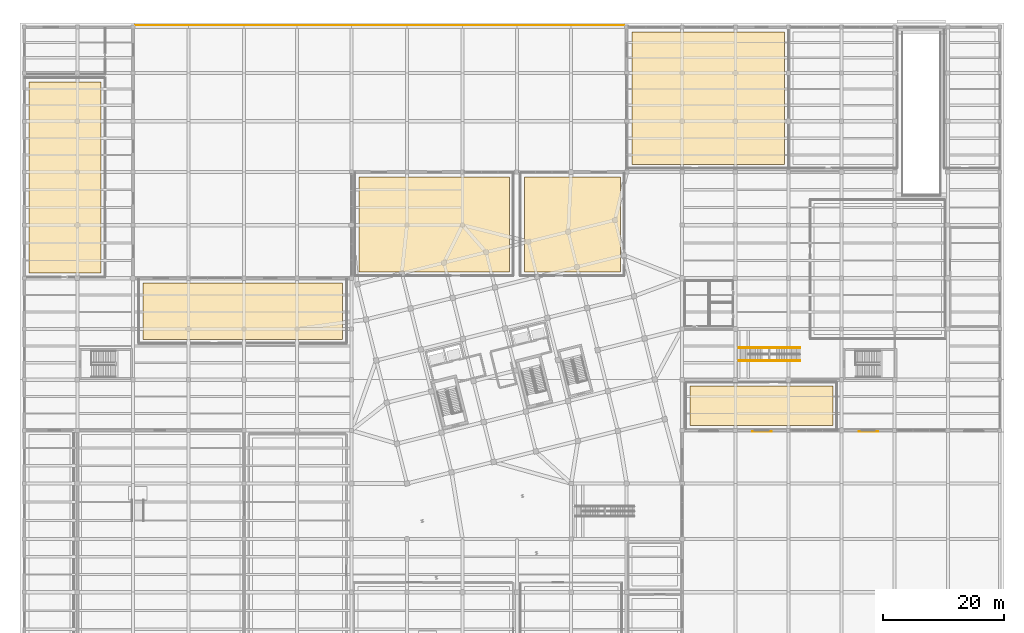
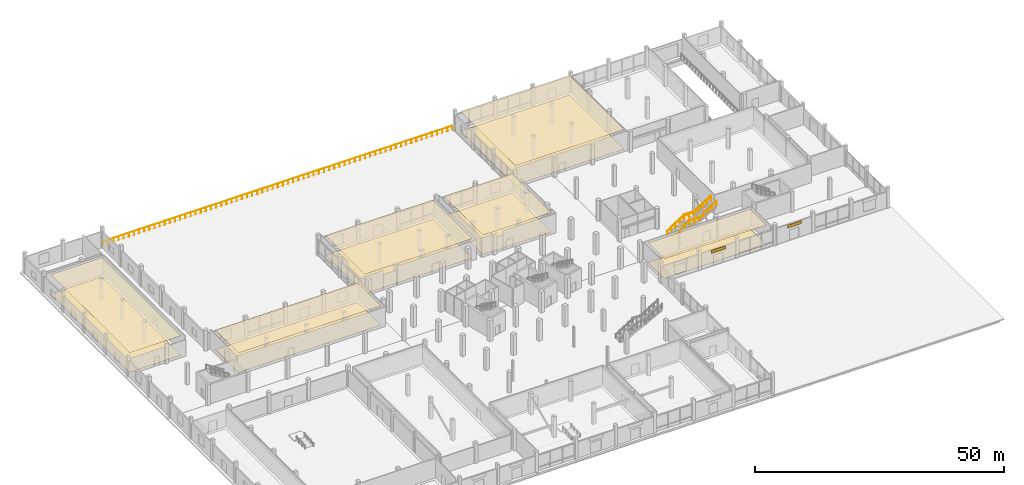
# One storey, part 70 of 73: 14 coverings, 13 railings.
"""IFC4 building model written with IfcOpenShell, lengths in metres."""

from ifc_helpers import new_model, si_unit, direction, frame, origin, origin_2d, place, context, subcontext, project, spatial, polyline, rectangle, circle, outline, extrude, material, layer, layer_set, type_object, element, save


model = new_model("IFC4")

# Units and contexts
model_context = context("Model", 3, precision=1e-05, world=origin(), true_north=direction((0.0, 1.0)))
body_context = subcontext(model_context, "Body", "Model", "MODEL_VIEW")
ifc_project = project(units=[si_unit("LENGTHUNIT", "METRE"), si_unit("AREAUNIT", "SQUARE_METRE"), si_unit("VOLUMEUNIT", "CUBIC_METRE"), si_unit("PLANEANGLEUNIT", "RADIAN"), si_unit("MASSUNIT", "GRAM", prefix="KILO")], contexts=[model_context])

# Site, building, storey
site_placement = place(None, origin())
site = spatial("IfcSite", under=ifc_project, at=site_placement, CompositionType="ELEMENT")
building_placement = place(site_placement, origin())
building = spatial("IfcBuilding", under=site, at=building_placement, Name="Meriwether Solvik Hall", CompositionType="ELEMENT")
storey_placement = place(building_placement, origin())
storey = spatial("IfcBuildingStorey", under=building, at=storey_placement, Name="L00", CompositionType="ELEMENT", Elevation=0.0)

# Coverings
ifc_material_1 = material(Name="Micro-Perforated Rift White Oak Timber", Category="wood")
ifc_layer_1 = layer(ifc_material_1, 0.02490234375)
ifc_layer_set_1 = layer_set([ifc_layer_1], Name="Micro-Perforated Rift White Oak Timber")
covering_type_1 = type_object("IfcCoveringType", Name="COV-CEIL-AC", PredefinedType="CEILING", material=ifc_layer_set_1)
covering_1_placement = place(storey_placement, frame((0.0, 0.0, 4.77490234375)))
element("IfcCovering", 1, at=covering_1_placement, inside=storey, type_object=covering_type_1, Name="Community Counseling and Outreach Office Acoustic Soffit Ceiling", PredefinedType="CEILING", context=body_context, shape_type="SweptSolid", body=[
    extrude(outline(polyline([(24.85009765625, 65.050048828125), (24.85009765625, 74.39990234375), (57.949951171875, 74.39990234375), (57.949951171875, 65.050048828125), (24.85009765625, 65.050048828125)])), origin(), (0.0, 0.0, 1.0), 0.025146484375),
])
covering_2_placement = place(storey_placement, frame((0.0, 0.0, 4.77490234375)))
element("IfcCovering", 2, at=covering_2_placement, inside=storey, type_object=covering_type_1, Name="Civic Reception Gallery Acoustic Soffit Ceiling", PredefinedType="CEILING", context=body_context, shape_type="SweptSolid", body=[
    extrude(outline(polyline([(60.64990234375, 76.25), (60.64990234375, 92.0), (85.550048828125, 92.0), (85.550048828125, 76.25), (60.64990234375, 76.25)])), origin(), (0.0, 0.0, 1.0), 0.025146484375),
])
covering_3_placement = place(storey_placement, frame((0.0, 0.0, 4.77490234375)))
element("IfcCovering", 3, at=covering_3_placement, inside=storey, type_object=covering_type_1, Name="Book Circulation Commons Acoustic Soffit Ceiling", PredefinedType="CEILING", context=body_context, shape_type="SweptSolid", body=[
    extrude(outline(polyline([(115.449951171875, 57.35009765625), (139.14990234375, 57.35009765625), (139.14990234375, 50.800048828125), (115.449951171875, 50.800048828125), (115.449951171875, 57.35009765625)])), origin(), (0.0, 0.0, 1.0), 0.025146484375),
])
covering_4_placement = place(storey_placement, frame((0.0, 0.0, 4.77490234375)))
element("IfcCovering", 4, at=covering_4_placement, inside=storey, type_object=covering_type_1, Name="Youth Welcome Studio Acoustic Soffit Ceiling", PredefinedType="CEILING", context=body_context, shape_type="SweptSolid", body=[
    extrude(outline(polyline([(105.85009765625, 94.050048828125), (105.85009765625, 116.0), (131.14990234375, 116.0), (131.14990234375, 94.050048828125), (105.85009765625, 94.050048828125)])), origin(), (0.0, 0.0, 1.0), 0.025146484375),
])
ifc_material_2 = material(Name="Moisture-Resistant Gypsum Board", Category="gypsum")
ifc_layer_2 = layer(ifc_material_2, 0.01806640625)
ifc_layer_set_2 = layer_set([ifc_layer_2], Name="Moisture-Resistant Gypsum Board")
covering_type_2 = type_object("IfcCoveringType", Name="COV-CEIL-GYP", PredefinedType="CEILING", material=ifc_layer_set_2)
covering_5_placement = place(storey_placement, frame((0.0, 0.0, 4.781982421875)))
element("IfcCovering", 5, at=covering_5_placement, inside=storey, type_object=covering_type_2, Name="Nursery Acoustic Soffit Ceiling", PredefinedType="CEILING", context=body_context, shape_type="SweptSolid", body=[
    extrude(outline(polyline([(17.949951171875, 76.050048828125), (6.0, 76.050048828125), (6.0, 107.75), (17.949951171875, 107.75), (17.949951171875, 76.050048828125)])), origin(), (0.0, 0.0, 1.0), 0.01806640625),
])
covering_6_placement = place(storey_placement, frame((0.0, 0.0, 4.781982421875)))
element("IfcCovering", 6, at=covering_6_placement, inside=storey, type_object=covering_type_2, Name="Civic Volunteer and Food Pantry Hub Acoustic Soffit Ceiling", PredefinedType="CEILING", context=body_context, shape_type="SweptSolid", body=[
    extrude(outline(polyline([(88.050048828125, 76.25), (88.050048828125, 92.0), (103.949951171875, 92.0), (103.949951171875, 76.25), (88.050048828125, 76.25)])), origin(), (0.0, 0.0, 1.0), 0.01806640625),
])
ifc_material_3 = material(Name="Glazed Extruded Terracotta Ceramic", Category="masonry")
ifc_layer_3 = layer(ifc_material_3, 0.044921875)
ifc_layer_set_3 = layer_set([ifc_layer_3], Name="Glazed Extruded Terracotta Ceramic")
covering_type_3 = type_object("IfcCoveringType", Name="COV-CLAD-TERRA", PredefinedType="CLADDING", material=ifc_layer_set_3)
for number, where, z_axis, x_axis, name in (
    (7, (127.39990234375, 49.824951171875, 3.139892578125), (0.0, 0.0, 1.0), (-1.0, 0.0, 0.0), "L00 Facade Cladding XF_14_13"),
    (8, (145.050048828125, 49.824951171875, 3.139892578125), (0.0, 0.0, 1.0), (-1.0, 0.0, 0.0), "L00 Facade Cladding XF_16_15"),
):
    element("IfcCovering", number, at=place(storey_placement, frame(where, z_axis=z_axis, x_axis=x_axis)), inside=storey, type_object=covering_type_3, Name=name, PredefinedType="CLADDING", context=body_context, shape_type="SweptSolid", body=[
        extrude(rectangle(XDim=3.199951171875, YDim=0.044921875, at=origin_2d()), origin(), (0.0, 0.0, 1.0), 0.75),
    ])
ifc_material_4 = material(Name="Solid White Oak Strip Timber", Category="wood")
ifc_layer_4 = layer(ifc_material_4, 0.028076171875)
ifc_layer_set_4 = layer_set([ifc_layer_4], Name="Solid White Oak Strip Timber")
covering_type_4 = type_object("IfcCoveringType", Name="COV-FLR-OAK", PredefinedType="FLOORING", material=ifc_layer_set_4)
covering_7_placement = place(storey_placement, origin())
element("IfcCovering", 9, at=covering_7_placement, inside=storey, type_object=covering_type_4, Name="Youth Welcome Studio Finish Flooring", PredefinedType="FLOORING", context=body_context, shape_type="SweptSolid", body=[
    extrude(outline(polyline([(105.85009765625, 94.050048828125), (105.85009765625, 116.0), (131.14990234375, 116.0), (131.14990234375, 94.050048828125), (105.85009765625, 94.050048828125)])), origin(), (0.0, 0.0, 1.0), 0.028076171875),
])
ifc_material_5 = material(Name="Polished Recycled-Aggregate Terrazzo", Category="stone")
ifc_layer_5 = layer(ifc_material_5, 0.02001953125)
ifc_layer_set_5 = layer_set([ifc_layer_5], Name="Polished Recycled-Aggregate Terrazzo")
covering_type_5 = type_object("IfcCoveringType", Name="COV-FLR-TERR", PredefinedType="FLOORING", material=ifc_layer_set_5)
covering_8_placement = place(storey_placement, origin())
element("IfcCovering", 10, at=covering_8_placement, inside=storey, type_object=covering_type_5, Name="Community Counseling and Outreach Office Finish Flooring", PredefinedType="FLOORING", context=body_context, shape_type="SweptSolid", body=[
    extrude(outline(polyline([(24.85009765625, 65.050048828125), (24.85009765625, 74.39990234375), (57.949951171875, 74.39990234375), (57.949951171875, 65.050048828125), (24.85009765625, 65.050048828125)])), origin(), (0.0, 0.0, 1.0), 0.02001953125),
])
covering_9_placement = place(storey_placement, origin())
element("IfcCovering", 11, at=covering_9_placement, inside=storey, type_object=covering_type_5, Name="Nursery Finish Flooring", PredefinedType="FLOORING", context=body_context, shape_type="SweptSolid", body=[
    extrude(outline(polyline([(17.949951171875, 76.050048828125), (6.0, 76.050048828125), (6.0, 107.75), (17.949951171875, 107.75), (17.949951171875, 76.050048828125)])), origin(), (0.0, 0.0, 1.0), 0.02001953125),
])
covering_10_placement = place(storey_placement, origin())
element("IfcCovering", 12, at=covering_10_placement, inside=storey, type_object=covering_type_5, Name="Civic Reception Gallery Finish Flooring", PredefinedType="FLOORING", context=body_context, shape_type="SweptSolid", body=[
    extrude(outline(polyline([(60.64990234375, 76.25), (60.64990234375, 92.0), (85.550048828125, 92.0), (85.550048828125, 76.25), (60.64990234375, 76.25)])), origin(), (0.0, 0.0, 1.0), 0.02001953125),
])
covering_11_placement = place(storey_placement, origin())
element("IfcCovering", 13, at=covering_11_placement, inside=storey, type_object=covering_type_5, Name="Civic Volunteer and Food Pantry Hub Finish Flooring", PredefinedType="FLOORING", context=body_context, shape_type="SweptSolid", body=[
    extrude(outline(polyline([(88.050048828125, 76.25), (88.050048828125, 92.0), (103.949951171875, 92.0), (103.949951171875, 76.25), (88.050048828125, 76.25)])), origin(), (0.0, 0.0, 1.0), 0.02001953125),
])
covering_12_placement = place(storey_placement, origin())
element("IfcCovering", 14, at=covering_12_placement, inside=storey, type_object=covering_type_5, Name="Book Circulation Commons Finish Flooring", PredefinedType="FLOORING", context=body_context, shape_type="SweptSolid", body=[
    extrude(outline(polyline([(115.449951171875, 57.35009765625), (139.14990234375, 57.35009765625), (139.14990234375, 50.800048828125), (115.449951171875, 50.800048828125), (115.449951171875, 57.35009765625)])), origin(), (0.0, 0.0, 1.0), 0.02001953125),
])

# Railings
ifc_material_6 = material(Name="Steel A36 Galvanised", Category="steel")
ifc_layer_6 = layer(ifc_material_6, 0.070068359375)
ifc_layer_set_6 = layer_set([ifc_layer_6], Name="Steel A36 Galvanised")
railing_type_1 = type_object("IfcRailingType", Name="RAIL-BAL-1120", PredefinedType="BALUSTRADE", material=ifc_layer_set_6)
railing_1_placement = place(storey_placement, frame((23.60009765625, 117.10009765625, 0.0)))
element("IfcRailing", 15, at=railing_1_placement, inside=storey, type_object=railing_type_1, Name="North Community Garden & Play Court Balustrade 1", PredefinedType="BALUSTRADE", context=body_context, shape_type="SweptSolid", body=[
    extrude(circle(Radius=0.02392578125, at=origin_2d()), frame((0.0, 0.0, 1.09619140625), z_axis=(1.0, 0.0, 0.0), x_axis=(0.0, 1.0, 0.0)), (0.0, 0.0, 1.0), 81.0),
    extrude(circle(Radius=0.02099609375, at=origin_2d()), origin(), (0.0, 0.0, 1.0), 1.072021484375),
    extrude(circle(Radius=0.02099609375, at=origin_2d()), frame((1.191162109375, 0.0, 0.0)), (0.0, 0.0, 1.0), 1.072021484375),
    extrude(circle(Radius=0.02099609375, at=origin_2d()), frame((2.38232421875, 0.0, 0.0)), (0.0, 0.0, 1.0), 1.072021484375),
    extrude(circle(Radius=0.02099609375, at=origin_2d()), frame((3.573486328125, 0.0, 0.0)), (0.0, 0.0, 1.0), 1.072021484375),
    extrude(circle(Radius=0.02099609375, at=origin_2d()), frame((4.7646484375, 0.0, 0.0)), (0.0, 0.0, 1.0), 1.072021484375),
    extrude(circle(Radius=0.02099609375, at=origin_2d()), frame((5.955810546875, 0.0, 0.0)), (0.0, 0.0, 1.0), 1.072021484375),
    extrude(circle(Radius=0.02099609375, at=origin_2d()), frame((7.14697265625, 0.0, 0.0)), (0.0, 0.0, 1.0), 1.072021484375),
    extrude(circle(Radius=0.02099609375, at=origin_2d()), frame((8.338134765625, 0.0, 0.0)), (0.0, 0.0, 1.0), 1.072021484375),
    extrude(circle(Radius=0.02099609375, at=origin_2d()), frame((9.529296875, 0.0, 0.0)), (0.0, 0.0, 1.0), 1.072021484375),
    extrude(circle(Radius=0.02099609375, at=origin_2d()), frame((10.720703125, 0.0, 0.0)), (0.0, 0.0, 1.0), 1.072021484375),
    extrude(circle(Radius=0.02099609375, at=origin_2d()), frame((11.911865234375, 0.0, 0.0)), (0.0, 0.0, 1.0), 1.072021484375),
    extrude(circle(Radius=0.02099609375, at=origin_2d()), frame((13.10302734375, 0.0, 0.0)), (0.0, 0.0, 1.0), 1.072021484375),
    extrude(circle(Radius=0.02099609375, at=origin_2d()), frame((14.294189453125, 0.0, 0.0)), (0.0, 0.0, 1.0), 1.072021484375),
    extrude(circle(Radius=0.02099609375, at=origin_2d()), frame((15.4853515625, 0.0, 0.0)), (0.0, 0.0, 1.0), 1.072021484375),
    extrude(circle(Radius=0.02099609375, at=origin_2d()), frame((16.676513671875, 0.0, 0.0)), (0.0, 0.0, 1.0), 1.072021484375),
    extrude(circle(Radius=0.02099609375, at=origin_2d()), frame((17.86767578125, 0.0, 0.0)), (0.0, 0.0, 1.0), 1.072021484375),
    extrude(circle(Radius=0.02099609375, at=origin_2d()), frame((19.058837890625, 0.0, 0.0)), (0.0, 0.0, 1.0), 1.072021484375),
    extrude(circle(Radius=0.02099609375, at=origin_2d()), frame((20.25, 0.0, 0.0)), (0.0, 0.0, 1.0), 1.072021484375),
    extrude(circle(Radius=0.02099609375, at=origin_2d()), frame((21.441162109375, 0.0, 0.0)), (0.0, 0.0, 1.0), 1.072021484375),
    extrude(circle(Radius=0.02099609375, at=origin_2d()), frame((22.63232421875, 0.0, 0.0)), (0.0, 0.0, 1.0), 1.072021484375),
    extrude(circle(Radius=0.02099609375, at=origin_2d()), frame((23.823486328125, 0.0, 0.0)), (0.0, 0.0, 1.0), 1.072021484375),
    extrude(circle(Radius=0.02099609375, at=origin_2d()), frame((25.0146484375, 0.0, 0.0)), (0.0, 0.0, 1.0), 1.072021484375),
    extrude(circle(Radius=0.02099609375, at=origin_2d()), frame((26.205810546875, 0.0, 0.0)), (0.0, 0.0, 1.0), 1.072021484375),
    extrude(circle(Radius=0.02099609375, at=origin_2d()), frame((27.39697265625, 0.0, 0.0)), (0.0, 0.0, 1.0), 1.072021484375),
    extrude(circle(Radius=0.02099609375, at=origin_2d()), frame((28.588134765625, 0.0, 0.0)), (0.0, 0.0, 1.0), 1.072021484375),
    extrude(circle(Radius=0.02099609375, at=origin_2d()), frame((29.779296875, 0.0, 0.0)), (0.0, 0.0, 1.0), 1.072021484375),
    extrude(circle(Radius=0.02099609375, at=origin_2d()), frame((30.970703125, 0.0, 0.0)), (0.0, 0.0, 1.0), 1.072021484375),
    extrude(circle(Radius=0.02099609375, at=origin_2d()), frame((32.161865234375, 0.0, 0.0)), (0.0, 0.0, 1.0), 1.072021484375),
    extrude(circle(Radius=0.02099609375, at=origin_2d()), frame((33.35302734375, 0.0, 0.0)), (0.0, 0.0, 1.0), 1.072021484375),
    extrude(circle(Radius=0.02099609375, at=origin_2d()), frame((34.544189453125, 0.0, 0.0)), (0.0, 0.0, 1.0), 1.072021484375),
    extrude(circle(Radius=0.02099609375, at=origin_2d()), frame((35.7353515625, 0.0, 0.0)), (0.0, 0.0, 1.0), 1.072021484375),
    extrude(circle(Radius=0.02099609375, at=origin_2d()), frame((36.926513671875, 0.0, 0.0)), (0.0, 0.0, 1.0), 1.072021484375),
    extrude(circle(Radius=0.02099609375, at=origin_2d()), frame((38.11767578125, 0.0, 0.0)), (0.0, 0.0, 1.0), 1.072021484375),
    extrude(circle(Radius=0.02099609375, at=origin_2d()), frame((39.308837890625, 0.0, 0.0)), (0.0, 0.0, 1.0), 1.072021484375),
    extrude(circle(Radius=0.02099609375, at=origin_2d()), frame((40.5, 0.0, 0.0)), (0.0, 0.0, 1.0), 1.072021484375),
    extrude(circle(Radius=0.02099609375, at=origin_2d()), frame((41.691162109375, 0.0, 0.0)), (0.0, 0.0, 1.0), 1.072021484375),
    extrude(circle(Radius=0.02099609375, at=origin_2d()), frame((42.88232421875, 0.0, 0.0)), (0.0, 0.0, 1.0), 1.072021484375),
    extrude(circle(Radius=0.02099609375, at=origin_2d()), frame((44.073486328125, 0.0, 0.0)), (0.0, 0.0, 1.0), 1.072021484375),
    extrude(circle(Radius=0.02099609375, at=origin_2d()), frame((45.2646484375, 0.0, 0.0)), (0.0, 0.0, 1.0), 1.072021484375),
    extrude(circle(Radius=0.02099609375, at=origin_2d()), frame((46.455810546875, 0.0, 0.0)), (0.0, 0.0, 1.0), 1.072021484375),
    extrude(circle(Radius=0.02099609375, at=origin_2d()), frame((47.64697265625, 0.0, 0.0)), (0.0, 0.0, 1.0), 1.072021484375),
    extrude(circle(Radius=0.02099609375, at=origin_2d()), frame((48.838134765625, 0.0, 0.0)), (0.0, 0.0, 1.0), 1.072021484375),
    extrude(circle(Radius=0.02099609375, at=origin_2d()), frame((50.029296875, 0.0, 0.0)), (0.0, 0.0, 1.0), 1.072021484375),
    extrude(circle(Radius=0.02099609375, at=origin_2d()), frame((51.220703125, 0.0, 0.0)), (0.0, 0.0, 1.0), 1.072021484375),
    extrude(circle(Radius=0.02099609375, at=origin_2d()), frame((52.411865234375, 0.0, 0.0)), (0.0, 0.0, 1.0), 1.072021484375),
    extrude(circle(Radius=0.02099609375, at=origin_2d()), frame((53.60302734375, 0.0, 0.0)), (0.0, 0.0, 1.0), 1.072021484375),
    extrude(circle(Radius=0.02099609375, at=origin_2d()), frame((54.794189453125, 0.0, 0.0)), (0.0, 0.0, 1.0), 1.072021484375),
    extrude(circle(Radius=0.02099609375, at=origin_2d()), frame((55.9853515625, 0.0, 0.0)), (0.0, 0.0, 1.0), 1.072021484375),
    extrude(circle(Radius=0.02099609375, at=origin_2d()), frame((57.176513671875, 0.0, 0.0)), (0.0, 0.0, 1.0), 1.072021484375),
    extrude(circle(Radius=0.02099609375, at=origin_2d()), frame((58.36767578125, 0.0, 0.0)), (0.0, 0.0, 1.0), 1.072021484375),
    extrude(circle(Radius=0.02099609375, at=origin_2d()), frame((59.558837890625, 0.0, 0.0)), (0.0, 0.0, 1.0), 1.072021484375),
    extrude(circle(Radius=0.02099609375, at=origin_2d()), frame((60.75, 0.0, 0.0)), (0.0, 0.0, 1.0), 1.072021484375),
    extrude(circle(Radius=0.02099609375, at=origin_2d()), frame((61.941162109375, 0.0, 0.0)), (0.0, 0.0, 1.0), 1.072021484375),
    extrude(circle(Radius=0.02099609375, at=origin_2d()), frame((63.13232421875, 0.0, 0.0)), (0.0, 0.0, 1.0), 1.072021484375),
    extrude(circle(Radius=0.02099609375, at=origin_2d()), frame((64.323486328125, 0.0, 0.0)), (0.0, 0.0, 1.0), 1.072021484375),
    extrude(circle(Radius=0.02099609375, at=origin_2d()), frame((65.5146484375, 0.0, 0.0)), (0.0, 0.0, 1.0), 1.072021484375),
    extrude(circle(Radius=0.02099609375, at=origin_2d()), frame((66.705810546875, 0.0, 0.0)), (0.0, 0.0, 1.0), 1.072021484375),
    extrude(circle(Radius=0.02099609375, at=origin_2d()), frame((67.89697265625, 0.0, 0.0)), (0.0, 0.0, 1.0), 1.072021484375),
    extrude(circle(Radius=0.02099609375, at=origin_2d()), frame((69.088134765625, 0.0, 0.0)), (0.0, 0.0, 1.0), 1.072021484375),
    extrude(circle(Radius=0.02099609375, at=origin_2d()), frame((70.279296875, 0.0, 0.0)), (0.0, 0.0, 1.0), 1.072021484375),
    extrude(circle(Radius=0.02099609375, at=origin_2d()), frame((71.470703125, 0.0, 0.0)), (0.0, 0.0, 1.0), 1.072021484375),
    extrude(circle(Radius=0.02099609375, at=origin_2d()), frame((72.661865234375, 0.0, 0.0)), (0.0, 0.0, 1.0), 1.072021484375),
    extrude(circle(Radius=0.02099609375, at=origin_2d()), frame((73.85302734375, 0.0, 0.0)), (0.0, 0.0, 1.0), 1.072021484375),
    extrude(circle(Radius=0.02099609375, at=origin_2d()), frame((75.044189453125, 0.0, 0.0)), (0.0, 0.0, 1.0), 1.072021484375),
    extrude(circle(Radius=0.02099609375, at=origin_2d()), frame((76.2353515625, 0.0, 0.0)), (0.0, 0.0, 1.0), 1.072021484375),
    extrude(circle(Radius=0.02099609375, at=origin_2d()), frame((77.426513671875, 0.0, 0.0)), (0.0, 0.0, 1.0), 1.072021484375),
    extrude(circle(Radius=0.02099609375, at=origin_2d()), frame((78.61767578125, 0.0, 0.0)), (0.0, 0.0, 1.0), 1.072021484375),
    extrude(circle(Radius=0.02099609375, at=origin_2d()), frame((79.808837890625, 0.0, 0.0)), (0.0, 0.0, 1.0), 1.072021484375),
    extrude(circle(Radius=0.02099609375, at=origin_2d()), frame((81.0, 0.0, 0.0)), (0.0, 0.0, 1.0), 1.072021484375),
])
ifc_material_7 = material(Name="Steel A36 Galvanised", Category="steel")
ifc_layer_7 = layer(ifc_material_7, 0.054931640625)
ifc_layer_set_7 = layer_set([ifc_layer_7], Name="Steel A36 Galvanised")
railing_type_2 = type_object("IfcRailingType", Name="RAIL-STR-GUARD", PredefinedType="GUARDRAIL", material=ifc_layer_set_7)
railing_2_placement = place(storey_placement, frame((123.550048828125, 61.47998046875, 0.0)))
element("IfcRailing", 16, at=railing_2_placement, inside=storey, type_object=railing_type_2, Name="Stair ST-LB2 Guardrail L 1", PredefinedType="GUARDRAIL", context=body_context, shape_type="SweptSolid", body=[
    extrude(circle(Radius=0.02392578125, at=origin_2d()), frame((0.0, 0.0, 1.09619140625), z_axis=(0.838233101087, 0.0, 0.545312083345), x_axis=(0.0, 1.0, 0.0)), (0.0, 0.0, 1.0), 4.63818359375),
    extrude(circle(Radius=0.02099609375, at=origin_2d()), origin(), (0.0, 0.0, 1.0), 1.072021484375),
    extrude(circle(Radius=0.02099609375, at=origin_2d()), frame((0.971923828125, 0.0, 0.63232421875)), (0.0, 0.0, 1.0), 1.072021484375),
    extrude(circle(Radius=0.02099609375, at=origin_2d()), frame((1.94384765625, 0.0, 1.2646484375)), (0.0, 0.0, 1.0), 1.072021484375),
    extrude(circle(Radius=0.02099609375, at=origin_2d()), frame((2.916015625, 0.0, 1.89697265625)), (0.0, 0.0, 1.0), 1.072021484375),
    extrude(circle(Radius=0.02099609375, at=origin_2d()), frame((3.887939453125, 0.0, 2.529296875)), (0.0, 0.0, 1.0), 1.072021484375),
])
railing_3_placement = place(storey_placement, frame((127.501953125, 61.47998046875, 2.550048828125)))
element("IfcRailing", 17, at=railing_3_placement, inside=storey, type_object=railing_type_2, Name="Stair ST-LB2 Guardrail L 2", PredefinedType="GUARDRAIL", context=body_context, shape_type="SweptSolid", body=[
    extrude(circle(Radius=0.02392578125, at=origin_2d()), frame((0.0, 0.0, 1.09619140625), z_axis=(1.0, 0.0, 0.0), x_axis=(0.0, 1.0, 0.0)), (0.0, 0.0, 1.0), 2.236083984375),
    extrude(circle(Radius=0.02099609375, at=origin_2d()), origin(), (0.0, 0.0, 1.0), 1.072021484375),
    extrude(circle(Radius=0.02099609375, at=origin_2d()), frame((1.1181640625, 0.0, 0.0)), (0.0, 0.0, 1.0), 1.072021484375),
    extrude(circle(Radius=0.02099609375, at=origin_2d()), frame((2.236083984375, 0.0, 0.0)), (0.0, 0.0, 1.0), 1.072021484375),
])
for number, where, name in (
    (18, (129.802001953125, 61.47998046875, 2.57080078125), "Stair ST-LB2 Guardrail L 3"),
    (19, (123.550048828125, 63.719970703125, 0.0), "Stair ST-LB2 Guardrail R 1"),
):
    element("IfcRailing", number, at=place(storey_placement, frame(where)), inside=storey, type_object=railing_type_2, Name=name, PredefinedType="GUARDRAIL", context=body_context, shape_type="SweptSolid", body=[
        extrude(circle(Radius=0.02392578125, at=origin_2d()), frame((0.0, 0.0, 1.09619140625), z_axis=(0.838233101087, 0.0, 0.545312083345), x_axis=(0.0, 1.0, 0.0)), (0.0, 0.0, 1.0), 4.63818359375),
        extrude(circle(Radius=0.02099609375, at=origin_2d()), origin(), (0.0, 0.0, 1.0), 1.072021484375),
        extrude(circle(Radius=0.02099609375, at=origin_2d()), frame((0.971923828125, 0.0, 0.63232421875)), (0.0, 0.0, 1.0), 1.072021484375),
        extrude(circle(Radius=0.02099609375, at=origin_2d()), frame((1.94384765625, 0.0, 1.2646484375)), (0.0, 0.0, 1.0), 1.072021484375),
        extrude(circle(Radius=0.02099609375, at=origin_2d()), frame((2.916015625, 0.0, 1.89697265625)), (0.0, 0.0, 1.0), 1.072021484375),
        extrude(circle(Radius=0.02099609375, at=origin_2d()), frame((3.887939453125, 0.0, 2.529296875)), (0.0, 0.0, 1.0), 1.072021484375),
    ])
railing_4_placement = place(storey_placement, frame((127.501953125, 63.719970703125, 2.550048828125)))
element("IfcRailing", 20, at=railing_4_placement, inside=storey, type_object=railing_type_2, Name="Stair ST-LB2 Guardrail R 2", PredefinedType="GUARDRAIL", context=body_context, shape_type="SweptSolid", body=[
    extrude(circle(Radius=0.02392578125, at=origin_2d()), frame((0.0, 0.0, 1.09619140625), z_axis=(1.0, 0.0, 0.0), x_axis=(0.0, 1.0, 0.0)), (0.0, 0.0, 1.0), 2.236083984375),
    extrude(circle(Radius=0.02099609375, at=origin_2d()), origin(), (0.0, 0.0, 1.0), 1.072021484375),
    extrude(circle(Radius=0.02099609375, at=origin_2d()), frame((1.1181640625, 0.0, 0.0)), (0.0, 0.0, 1.0), 1.072021484375),
    extrude(circle(Radius=0.02099609375, at=origin_2d()), frame((2.236083984375, 0.0, 0.0)), (0.0, 0.0, 1.0), 1.072021484375),
])
railing_5_placement = place(storey_placement, frame((129.802001953125, 63.719970703125, 2.57080078125)))
element("IfcRailing", 21, at=railing_5_placement, inside=storey, type_object=railing_type_2, Name="Stair ST-LB2 Guardrail R 3", PredefinedType="GUARDRAIL", context=body_context, shape_type="SweptSolid", body=[
    extrude(circle(Radius=0.02392578125, at=origin_2d()), frame((0.0, 0.0, 1.09619140625), z_axis=(0.838233101087, 0.0, 0.545312083345), x_axis=(0.0, 1.0, 0.0)), (0.0, 0.0, 1.0), 4.63818359375),
    extrude(circle(Radius=0.02099609375, at=origin_2d()), origin(), (0.0, 0.0, 1.0), 1.072021484375),
    extrude(circle(Radius=0.02099609375, at=origin_2d()), frame((0.971923828125, 0.0, 0.63232421875)), (0.0, 0.0, 1.0), 1.072021484375),
    extrude(circle(Radius=0.02099609375, at=origin_2d()), frame((1.94384765625, 0.0, 1.2646484375)), (0.0, 0.0, 1.0), 1.072021484375),
    extrude(circle(Radius=0.02099609375, at=origin_2d()), frame((2.916015625, 0.0, 1.89697265625)), (0.0, 0.0, 1.0), 1.072021484375),
    extrude(circle(Radius=0.02099609375, at=origin_2d()), frame((3.887939453125, 0.0, 2.529296875)), (0.0, 0.0, 1.0), 1.072021484375),
])
ifc_material_8 = material(Name="Stainless Steel AISI 316", Category="steel")
ifc_layer_8 = layer(ifc_material_8, 0.044921875)
ifc_layer_set_8 = layer_set([ifc_layer_8], Name="Stainless Steel AISI 316")
railing_type_3 = type_object("IfcRailingType", Name="RAIL-STR-HAND", PredefinedType="HANDRAIL", material=ifc_layer_set_8)
railing_6_placement = place(storey_placement, frame((123.550048828125, 61.60009765625, 0.0)))
element("IfcRailing", 22, at=railing_6_placement, inside=storey, type_object=railing_type_3, Name="Stair ST-LB2 Handrail L 1", PredefinedType="HANDRAIL", context=body_context, shape_type="SweptSolid", body=[
    extrude(circle(Radius=0.02392578125, at=origin_2d()), frame((0.0, 0.0, 0.89599609375), z_axis=(0.838244673968, 0.0, 0.545294293538), x_axis=(0.0, 1.0, 0.0)), (0.0, 0.0, 1.0), 4.68359375),
    extrude(circle(Radius=0.02099609375, at=origin_2d()), origin(), (0.0, 0.0, 1.0), 0.871826171875),
    extrude(circle(Radius=0.02099609375, at=origin_2d()), frame((0.9814453125, 0.0, 0.638427734375)), (0.0, 0.0, 1.0), 0.871826171875),
    extrude(circle(Radius=0.02099609375, at=origin_2d()), frame((1.962890625, 0.0, 1.27685546875)), (0.0, 0.0, 1.0), 0.871826171875),
    extrude(circle(Radius=0.02099609375, at=origin_2d()), frame((2.944580078125, 0.0, 1.91552734375)), (0.0, 0.0, 1.0), 0.871826171875),
    extrude(circle(Radius=0.02099609375, at=origin_2d()), frame((3.926025390625, 0.0, 2.553955078125)), (0.0, 0.0, 1.0), 0.871826171875),
])
railing_7_placement = place(storey_placement, frame((127.534912109375, 61.60009765625, 2.550048828125)))
element("IfcRailing", 23, at=railing_7_placement, inside=storey, type_object=railing_type_3, Name="Stair ST-LB2 Handrail L 2", PredefinedType="HANDRAIL", context=body_context, shape_type="SweptSolid", body=[
    extrude(circle(Radius=0.02392578125, at=origin_2d()), frame((0.0, 0.0, 0.89599609375), z_axis=(1.0, 0.0, 0.0), x_axis=(0.0, 1.0, 0.0)), (0.0, 0.0, 1.0), 2.170166015625),
    extrude(circle(Radius=0.02099609375, at=origin_2d()), origin(), (0.0, 0.0, 1.0), 0.871826171875),
    extrude(circle(Radius=0.02099609375, at=origin_2d()), frame((1.0849609375, 0.0, 0.0)), (0.0, 0.0, 1.0), 0.871826171875),
    extrude(circle(Radius=0.02099609375, at=origin_2d()), frame((2.170166015625, 0.0, 0.0)), (0.0, 0.0, 1.0), 0.871826171875),
])
railing_8_placement = place(storey_placement, frame((129.77001953125, 61.60009765625, 2.550048828125)))
element("IfcRailing", 24, at=railing_8_placement, inside=storey, type_object=railing_type_3, Name="Stair ST-LB2 Handrail L 3", PredefinedType="HANDRAIL", context=body_context, shape_type="SweptSolid", body=[
    extrude(circle(Radius=0.02392578125, at=origin_2d()), frame((0.0, 0.0, 0.89599609375), z_axis=(0.838268500304, 0.0, 0.545257665144), x_axis=(0.0, 1.0, 0.0)), (0.0, 0.0, 1.0), 4.68359375),
    extrude(circle(Radius=0.02099609375, at=origin_2d()), origin(), (0.0, 0.0, 1.0), 0.871826171875),
    extrude(circle(Radius=0.02099609375, at=origin_2d()), frame((0.9814453125, 0.0, 0.638427734375)), (0.0, 0.0, 1.0), 0.871826171875),
    extrude(circle(Radius=0.02099609375, at=origin_2d()), frame((1.962890625, 0.0, 1.27685546875)), (0.0, 0.0, 1.0), 0.871826171875),
    extrude(circle(Radius=0.02099609375, at=origin_2d()), frame((2.944580078125, 0.0, 1.915283203125)), (0.0, 0.0, 1.0), 0.871826171875),
    extrude(circle(Radius=0.02099609375, at=origin_2d()), frame((3.926025390625, 0.0, 2.5537109375)), (0.0, 0.0, 1.0), 0.871826171875),
])
railing_9_placement = place(storey_placement, frame((123.550048828125, 63.60009765625, 0.0)))
element("IfcRailing", 25, at=railing_9_placement, inside=storey, type_object=railing_type_3, Name="Stair ST-LB2 Handrail R 1", PredefinedType="HANDRAIL", context=body_context, shape_type="SweptSolid", body=[
    extrude(circle(Radius=0.02392578125, at=origin_2d()), frame((0.0, 0.0, 0.89599609375), z_axis=(0.838244673968, 0.0, 0.545294293538), x_axis=(0.0, 1.0, 0.0)), (0.0, 0.0, 1.0), 4.68359375),
    extrude(circle(Radius=0.02099609375, at=origin_2d()), origin(), (0.0, 0.0, 1.0), 0.871826171875),
    extrude(circle(Radius=0.02099609375, at=origin_2d()), frame((0.9814453125, 0.0, 0.638427734375)), (0.0, 0.0, 1.0), 0.871826171875),
    extrude(circle(Radius=0.02099609375, at=origin_2d()), frame((1.962890625, 0.0, 1.27685546875)), (0.0, 0.0, 1.0), 0.871826171875),
    extrude(circle(Radius=0.02099609375, at=origin_2d()), frame((2.944580078125, 0.0, 1.91552734375)), (0.0, 0.0, 1.0), 0.871826171875),
    extrude(circle(Radius=0.02099609375, at=origin_2d()), frame((3.926025390625, 0.0, 2.553955078125)), (0.0, 0.0, 1.0), 0.871826171875),
])
railing_10_placement = place(storey_placement, frame((127.534912109375, 63.60009765625, 2.550048828125)))
element("IfcRailing", 26, at=railing_10_placement, inside=storey, type_object=railing_type_3, Name="Stair ST-LB2 Handrail R 2", PredefinedType="HANDRAIL", context=body_context, shape_type="SweptSolid", body=[
    extrude(circle(Radius=0.02392578125, at=origin_2d()), frame((0.0, 0.0, 0.89599609375), z_axis=(1.0, 0.0, 0.0), x_axis=(0.0, 1.0, 0.0)), (0.0, 0.0, 1.0), 2.170166015625),
    extrude(circle(Radius=0.02099609375, at=origin_2d()), origin(), (0.0, 0.0, 1.0), 0.871826171875),
    extrude(circle(Radius=0.02099609375, at=origin_2d()), frame((1.0849609375, 0.0, 0.0)), (0.0, 0.0, 1.0), 0.871826171875),
    extrude(circle(Radius=0.02099609375, at=origin_2d()), frame((2.170166015625, 0.0, 0.0)), (0.0, 0.0, 1.0), 0.871826171875),
])
railing_11_placement = place(storey_placement, frame((129.77001953125, 63.60009765625, 2.550048828125)))
element("IfcRailing", 27, at=railing_11_placement, inside=storey, type_object=railing_type_3, Name="Stair ST-LB2 Handrail R 3", PredefinedType="HANDRAIL", context=body_context, shape_type="SweptSolid", body=[
    extrude(circle(Radius=0.02392578125, at=origin_2d()), frame((0.0, 0.0, 0.89599609375), z_axis=(0.838268500304, 0.0, 0.545257665144), x_axis=(0.0, 1.0, 0.0)), (0.0, 0.0, 1.0), 4.68359375),
    extrude(circle(Radius=0.02099609375, at=origin_2d()), origin(), (0.0, 0.0, 1.0), 0.871826171875),
    extrude(circle(Radius=0.02099609375, at=origin_2d()), frame((0.9814453125, 0.0, 0.638427734375)), (0.0, 0.0, 1.0), 0.871826171875),
    extrude(circle(Radius=0.02099609375, at=origin_2d()), frame((1.962890625, 0.0, 1.27685546875)), (0.0, 0.0, 1.0), 0.871826171875),
    extrude(circle(Radius=0.02099609375, at=origin_2d()), frame((2.944580078125, 0.0, 1.915283203125)), (0.0, 0.0, 1.0), 0.871826171875),
    extrude(circle(Radius=0.02099609375, at=origin_2d()), frame((3.926025390625, 0.0, 2.5537109375)), (0.0, 0.0, 1.0), 0.871826171875),
])

save(model, "model.ifc")
